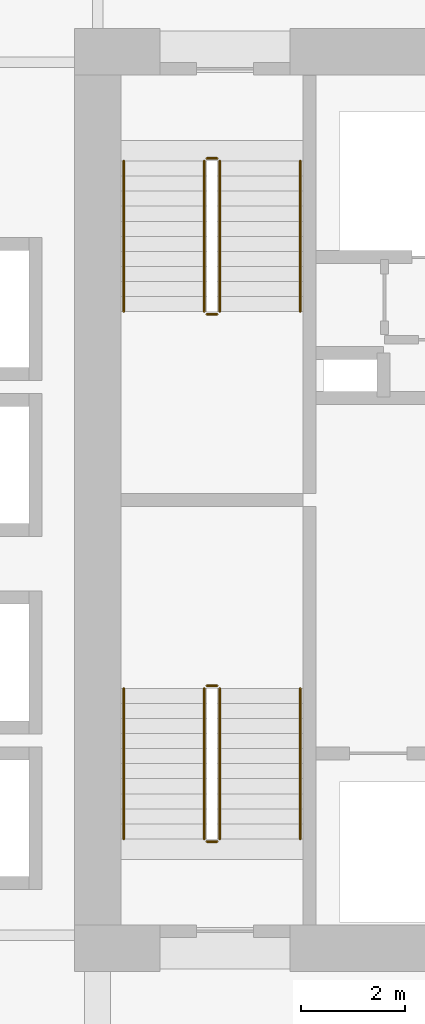
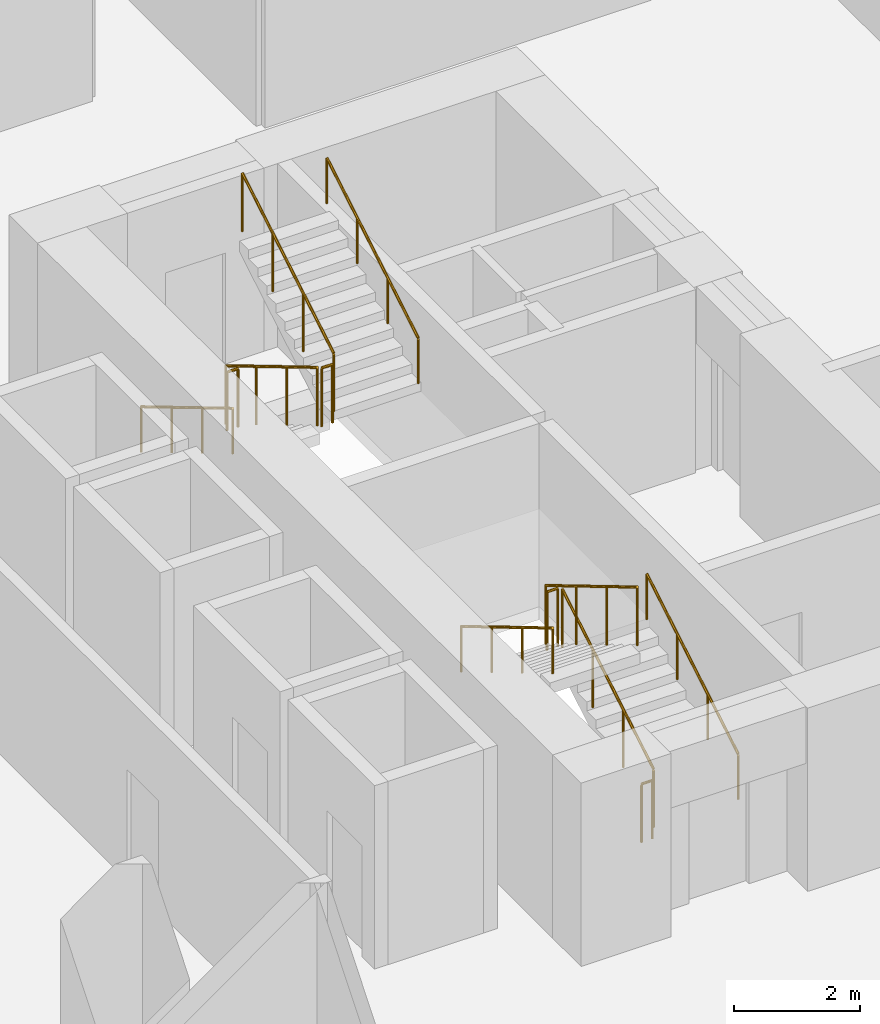
# One storey, part 23 of 24: 12 railings.
"""IFC4 building model written with IfcOpenShell, lengths in metres."""

from ifc_helpers import new_model, si_unit, direction, frame, origin, origin_2d, place, context, subcontext, project, spatial, circle, extrude, material, type_object, element, save


model = new_model("IFC4")

# Units and contexts
model_context = context("Model", 3, precision=1e-05, world=origin(), true_north=direction((0.0, 1.0)))
body_context = subcontext(model_context, "Body", "Model", "MODEL_VIEW")
ifc_project = project(units=[si_unit("LENGTHUNIT", "METRE"), si_unit("AREAUNIT", "SQUARE_METRE"), si_unit("VOLUMEUNIT", "CUBIC_METRE"), si_unit("PLANEANGLEUNIT", "RADIAN"), si_unit("MASSUNIT", "GRAM", prefix="KILO")], contexts=[model_context])

# Site, building, storey
site_placement = place(None, origin())
site = spatial("IfcSite", under=ifc_project, at=site_placement, CompositionType="ELEMENT")
building_placement = place(site_placement, origin())
building = spatial("IfcBuilding", under=site, at=building_placement, Name="Koriwani Terraces Tower", CompositionType="ELEMENT")
storey_placement = place(building_placement, frame((0.0, 0.0, 47.199951171875)))
storey = spatial("IfcBuildingStorey", under=building, at=storey_placement, Name="L10", CompositionType="ELEMENT", Elevation=47.199951171875)

# Railings
ifc_material = material(Name="Steel ASTM A572 Grade 50", Category="steel")
railing_type_1 = type_object("IfcRailingType", Name="GUARD_STAIR_WELL_1120", PredefinedType="GUARDRAIL", material=ifc_material)
railing_1_placement = place(storey_placement, frame((19.14990234375, 43.85009765625, 0.1728515625)))
element("IfcRailing", 1, at=railing_1_placement, inside=storey, type_object=railing_type_1, Name="L10 ST-W1 stair guard 1", PredefinedType="GUARDRAIL", context=body_context, shape_type="SweptSolid", body=[
    extrude(circle(Radius=0.02392578125, at=origin_2d()), frame((0.0, 0.0, 1.1259765625), z_axis=(0.0, 0.859141464434, 0.511738159696), x_axis=(-1.0, 0.0, 0.0)), (0.0, 0.0, 1.0), 3.375244140625),
    extrude(circle(Radius=0.02099609375, at=origin_2d()), origin(), (0.0, 0.0, 1.0), 1.101806640625),
    extrude(circle(Radius=0.02099609375, at=origin_2d()), frame((0.0, 0.966552734375, 0.57568359375)), (0.0, 0.0, 1.0), 1.101806640625),
    extrude(circle(Radius=0.02099609375, at=origin_2d()), frame((0.0, 1.933349609375, 1.151611328125)), (0.0, 0.0, 1.0), 1.101806640625),
    extrude(circle(Radius=0.02099609375, at=origin_2d()), frame((0.0, 2.89990234375, 1.727294921875)), (0.0, 0.0, 1.0), 1.101806640625),
])
railing_2_placement = place(storey_placement, frame((19.10009765625, 46.800048828125, 1.900146484375)))
element("IfcRailing", 2, at=railing_2_placement, inside=storey, type_object=railing_type_1, Name="L10 ST-W1 stair guard 2", PredefinedType="GUARDRAIL", context=body_context, shape_type="SweptSolid", body=[
    extrude(circle(Radius=0.02392578125, at=origin_2d()), frame((0.0, 0.0, 1.1259765625), z_axis=(-1.0, 0.0, 0.0), x_axis=(0.0, -1.0, 0.0)), (0.0, 0.0, 1.0), 0.2001953125),
    extrude(circle(Radius=0.02099609375, at=origin_2d()), origin(), (0.0, 0.0, 1.0), 1.101806640625),
    extrude(circle(Radius=0.02099609375, at=origin_2d()), frame((-0.2001953125, 0.0, 0.0)), (0.0, 0.0, 1.0), 1.101806640625),
])
railing_3_placement = place(storey_placement, frame((18.85009765625, 46.75, 2.07275390625)))
element("IfcRailing", 3, at=railing_3_placement, inside=storey, type_object=railing_type_1, Name="L10 ST-W1 stair guard 3", PredefinedType="GUARDRAIL", context=body_context, shape_type="SweptSolid", body=[
    extrude(circle(Radius=0.02392578125, at=origin_2d()), frame((0.0, 0.0, 1.1259765625), z_axis=(0.0, -0.859141464434, 0.511738159696), x_axis=(1.0, 0.0, 0.0)), (0.0, 0.0, 1.0), 3.375244140625),
    extrude(circle(Radius=0.02099609375, at=origin_2d()), origin(), (0.0, 0.0, 1.0), 1.101806640625),
    extrude(circle(Radius=0.02099609375, at=origin_2d()), frame((0.0, -0.966552734375, 0.57568359375)), (0.0, 0.0, 1.0), 1.101806640625),
    extrude(circle(Radius=0.02099609375, at=origin_2d()), frame((0.0, -1.933349609375, 1.151611328125)), (0.0, 0.0, 1.0), 1.101806640625),
    extrude(circle(Radius=0.02099609375, at=origin_2d()), frame((0.0, -2.89990234375, 1.727294921875)), (0.0, 0.0, 1.0), 1.101806640625),
])
railing_4_placement = place(storey_placement, frame((19.10009765625, 43.800048828125, 0.0)))
element("IfcRailing", 4, at=railing_4_placement, inside=storey, type_object=railing_type_1, Name="L10 ST-W1 stair guard 4", PredefinedType="GUARDRAIL", context=body_context, shape_type="SweptSolid", body=[
    extrude(circle(Radius=0.02392578125, at=origin_2d()), frame((0.0, 0.0, 1.1259765625), z_axis=(-1.0, 0.0, 0.0), x_axis=(0.0, -1.0, 0.0)), (0.0, 0.0, 1.0), 0.2001953125),
    extrude(circle(Radius=0.02099609375, at=origin_2d()), origin(), (0.0, 0.0, 1.0), 1.101806640625),
    extrude(circle(Radius=0.02099609375, at=origin_2d()), frame((-0.2001953125, 0.0, 0.0)), (0.0, 0.0, 1.0), 1.101806640625),
])
railing_5_placement = place(storey_placement, frame((18.85009765625, 56.89990234375, 0.1728515625)))
element("IfcRailing", 5, at=railing_5_placement, inside=storey, type_object=railing_type_1, Name="L10 ST-W2 stair guard 1", PredefinedType="GUARDRAIL", context=body_context, shape_type="SweptSolid", body=[
    extrude(circle(Radius=0.02392578125, at=origin_2d()), frame((0.0, 0.0, 1.1259765625), z_axis=(0.0, -0.859141464434, 0.511738159696), x_axis=(1.0, 0.0, 0.0)), (0.0, 0.0, 1.0), 3.375244140625),
    extrude(circle(Radius=0.02099609375, at=origin_2d()), origin(), (0.0, 0.0, 1.0), 1.101806640625),
    extrude(circle(Radius=0.02099609375, at=origin_2d()), frame((0.0, -0.966552734375, 0.57568359375)), (0.0, 0.0, 1.0), 1.101806640625),
    extrude(circle(Radius=0.02099609375, at=origin_2d()), frame((0.0, -1.933349609375, 1.151611328125)), (0.0, 0.0, 1.0), 1.101806640625),
    extrude(circle(Radius=0.02099609375, at=origin_2d()), frame((0.0, -2.89990234375, 1.727294921875)), (0.0, 0.0, 1.0), 1.101806640625),
])
railing_6_placement = place(storey_placement, frame((18.89990234375, 53.949951171875, 1.900146484375)))
element("IfcRailing", 6, at=railing_6_placement, inside=storey, type_object=railing_type_1, Name="L10 ST-W2 stair guard 2", PredefinedType="GUARDRAIL", context=body_context, shape_type="SweptSolid", body=[
    extrude(circle(Radius=0.02392578125, at=origin_2d()), frame((0.0, 0.0, 1.1259765625), z_axis=(1.0, 0.0, 0.0), x_axis=(0.0, 1.0, 0.0)), (0.0, 0.0, 1.0), 0.2001953125),
    extrude(circle(Radius=0.02099609375, at=origin_2d()), origin(), (0.0, 0.0, 1.0), 1.101806640625),
    extrude(circle(Radius=0.02099609375, at=origin_2d()), frame((0.2001953125, 0.0, 0.0)), (0.0, 0.0, 1.0), 1.101806640625),
])
railing_7_placement = place(storey_placement, frame((19.14990234375, 54.0, 2.07275390625)))
element("IfcRailing", 7, at=railing_7_placement, inside=storey, type_object=railing_type_1, Name="L10 ST-W2 stair guard 3", PredefinedType="GUARDRAIL", context=body_context, shape_type="SweptSolid", body=[
    extrude(circle(Radius=0.02392578125, at=origin_2d()), frame((0.0, 0.0, 1.1259765625), z_axis=(0.0, 0.859141464434, 0.511738159696), x_axis=(-1.0, 0.0, 0.0)), (0.0, 0.0, 1.0), 3.375244140625),
    extrude(circle(Radius=0.02099609375, at=origin_2d()), origin(), (0.0, 0.0, 1.0), 1.101806640625),
    extrude(circle(Radius=0.02099609375, at=origin_2d()), frame((0.0, 0.966552734375, 0.57568359375)), (0.0, 0.0, 1.0), 1.101806640625),
    extrude(circle(Radius=0.02099609375, at=origin_2d()), frame((0.0, 1.933349609375, 1.151611328125)), (0.0, 0.0, 1.0), 1.101806640625),
    extrude(circle(Radius=0.02099609375, at=origin_2d()), frame((0.0, 2.89990234375, 1.727294921875)), (0.0, 0.0, 1.0), 1.101806640625),
])
railing_8_placement = place(storey_placement, frame((18.89990234375, 56.949951171875, 0.0)))
element("IfcRailing", 8, at=railing_8_placement, inside=storey, type_object=railing_type_1, Name="L10 ST-W2 stair guard 4", PredefinedType="GUARDRAIL", context=body_context, shape_type="SweptSolid", body=[
    extrude(circle(Radius=0.02392578125, at=origin_2d()), frame((0.0, 0.0, 1.1259765625), z_axis=(1.0, 0.0, 0.0), x_axis=(0.0, 1.0, 0.0)), (0.0, 0.0, 1.0), 0.2001953125),
    extrude(circle(Radius=0.02099609375, at=origin_2d()), origin(), (0.0, 0.0, 1.0), 1.101806640625),
    extrude(circle(Radius=0.02099609375, at=origin_2d()), frame((0.2001953125, 0.0, 0.0)), (0.0, 0.0, 1.0), 1.101806640625),
])
railing_type_2 = type_object("IfcRailingType", Name="HANDRAIL_STAIR_920", PredefinedType="HANDRAIL", material=ifc_material)
railing_9_placement = place(storey_placement, frame((20.699951171875, 43.85009765625, 0.1728515625)))
element("IfcRailing", 9, at=railing_9_placement, inside=storey, type_object=railing_type_2, Name="L10 ST-W1 stair handrail 1", PredefinedType="HANDRAIL", context=body_context, shape_type="SweptSolid", body=[
    extrude(circle(Radius=0.02392578125, at=origin_2d()), frame((0.0, 0.0, 0.8759765625), z_axis=(0.0, 0.859141464434, 0.511738159696), x_axis=(-1.0, 0.0, 0.0)), (0.0, 0.0, 1.0), 3.375244140625),
    extrude(circle(Radius=0.02099609375, at=origin_2d()), origin(), (0.0, 0.0, 1.0), 0.851806640625),
    extrude(circle(Radius=0.02099609375, at=origin_2d()), frame((0.0, 0.966552734375, 0.57568359375)), (0.0, 0.0, 1.0), 0.851806640625),
    extrude(circle(Radius=0.02099609375, at=origin_2d()), frame((0.0, 1.933349609375, 1.151611328125)), (0.0, 0.0, 1.0), 0.851806640625),
    extrude(circle(Radius=0.02099609375, at=origin_2d()), frame((0.0, 2.89990234375, 1.727294921875)), (0.0, 0.0, 1.0), 0.851806640625),
])
for number, where, name in (
    (10, (17.300048828125, 46.75, 2.07275390625), "L10 ST-W1 stair handrail 2"),
    (11, (17.300048828125, 56.89990234375, 0.1728515625), "L10 ST-W2 stair handrail 1"),
):
    element("IfcRailing", number, at=place(storey_placement, frame(where)), inside=storey, type_object=railing_type_2, Name=name, PredefinedType="HANDRAIL", context=body_context, shape_type="SweptSolid", body=[
        extrude(circle(Radius=0.02392578125, at=origin_2d()), frame((0.0, 0.0, 0.8759765625), z_axis=(0.0, -0.859141464434, 0.511738159696), x_axis=(1.0, 0.0, 0.0)), (0.0, 0.0, 1.0), 3.375244140625),
        extrude(circle(Radius=0.02099609375, at=origin_2d()), origin(), (0.0, 0.0, 1.0), 0.851806640625),
        extrude(circle(Radius=0.02099609375, at=origin_2d()), frame((0.0, -0.966552734375, 0.57568359375)), (0.0, 0.0, 1.0), 0.851806640625),
        extrude(circle(Radius=0.02099609375, at=origin_2d()), frame((0.0, -1.933349609375, 1.151611328125)), (0.0, 0.0, 1.0), 0.851806640625),
        extrude(circle(Radius=0.02099609375, at=origin_2d()), frame((0.0, -2.89990234375, 1.727294921875)), (0.0, 0.0, 1.0), 0.851806640625),
    ])
railing_10_placement = place(storey_placement, frame((20.699951171875, 54.0, 2.07275390625)))
element("IfcRailing", 12, at=railing_10_placement, inside=storey, type_object=railing_type_2, Name="L10 ST-W2 stair handrail 2", PredefinedType="HANDRAIL", context=body_context, shape_type="SweptSolid", body=[
    extrude(circle(Radius=0.02392578125, at=origin_2d()), frame((0.0, 0.0, 0.8759765625), z_axis=(0.0, 0.859141464434, 0.511738159696), x_axis=(-1.0, 0.0, 0.0)), (0.0, 0.0, 1.0), 3.375244140625),
    extrude(circle(Radius=0.02099609375, at=origin_2d()), origin(), (0.0, 0.0, 1.0), 0.851806640625),
    extrude(circle(Radius=0.02099609375, at=origin_2d()), frame((0.0, 0.966552734375, 0.57568359375)), (0.0, 0.0, 1.0), 0.851806640625),
    extrude(circle(Radius=0.02099609375, at=origin_2d()), frame((0.0, 1.933349609375, 1.151611328125)), (0.0, 0.0, 1.0), 0.851806640625),
    extrude(circle(Radius=0.02099609375, at=origin_2d()), frame((0.0, 2.89990234375, 1.727294921875)), (0.0, 0.0, 1.0), 0.851806640625),
])

save(model, "model.ifc")
